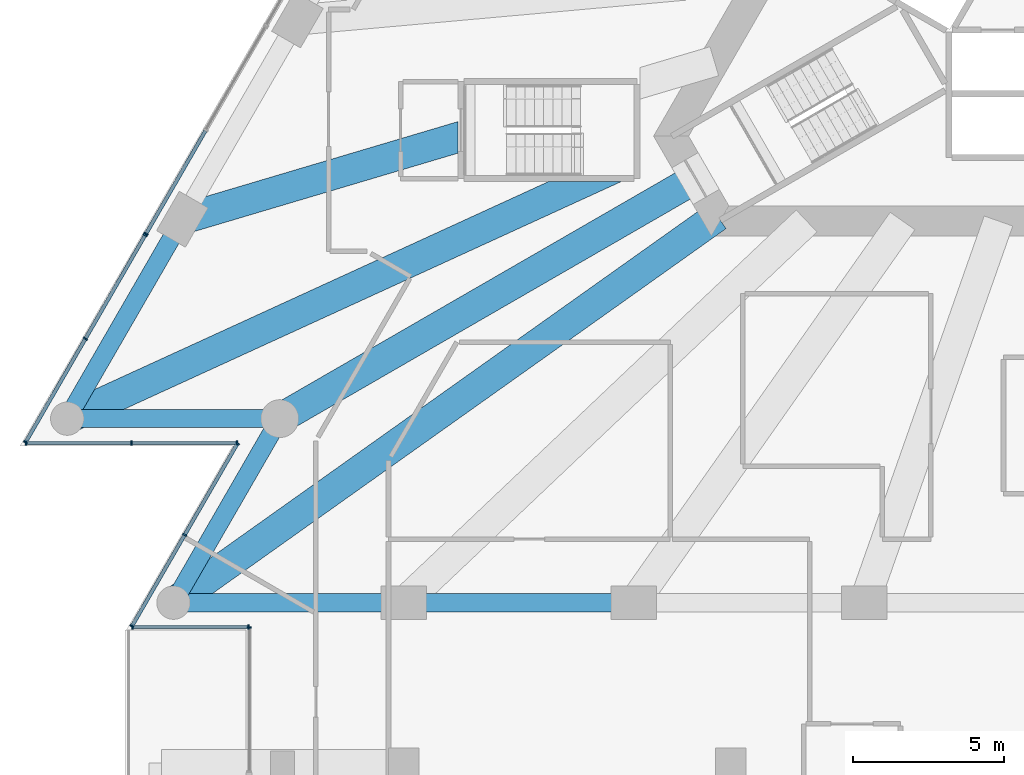
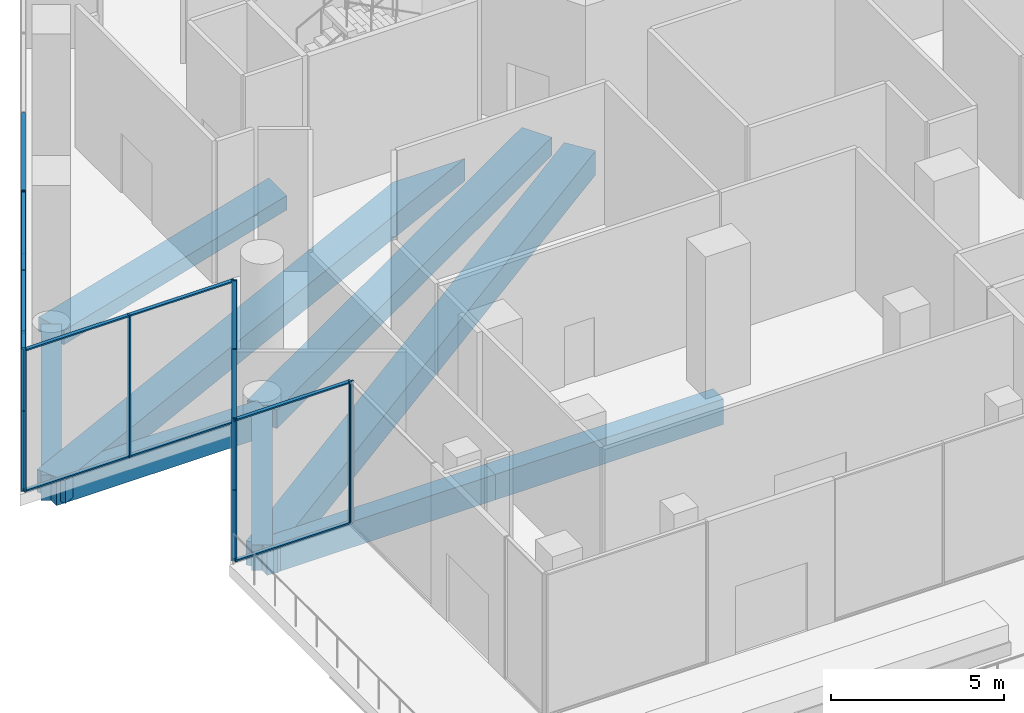
# One storey, part 4 of 29: 29 members, 9 beams, 6 elements without a shape of their own.
"""IFC4 building model written with IfcOpenShell, lengths in metres."""

from ifc_helpers import new_model, si_unit, direction, frame, origin, origin_2d, place, context, subcontext, project, spatial, rectangle, extrude, clip, halfspace, material, layer, layer_set, material_profile, profile_set, type_object, element, aggregate, save


model = new_model("IFC4")

# Units and contexts
model_context = context("Model", 3, precision=1e-05, world=origin(), true_north=direction((0.0, 1.0)))
body_context = subcontext(model_context, "Body", "Model", "MODEL_VIEW")
ifc_project = project(units=[si_unit("LENGTHUNIT", "METRE"), si_unit("AREAUNIT", "SQUARE_METRE"), si_unit("VOLUMEUNIT", "CUBIC_METRE"), si_unit("PLANEANGLEUNIT", "RADIAN"), si_unit("MASSUNIT", "GRAM", prefix="KILO")], contexts=[model_context])

# Site, building, storey
site_placement = place(None, origin())
site = spatial("IfcSite", under=ifc_project, at=site_placement, CompositionType="ELEMENT")
building_placement = place(site_placement, origin())
building = spatial("IfcBuilding", under=site, at=building_placement, Name="Triada Interchange Tower", CompositionType="ELEMENT")
storey_placement = place(building_placement, frame((0.0, 0.0, 19.89990234375)))
storey = spatial("IfcBuildingStorey", under=building, at=storey_placement, Name="L03", CompositionType="ELEMENT", Elevation=19.89990234375)

# Curtain wall, member
ifc_material_1 = material(Name="Aluminium framed glazing", Category="aluminium")
ifc_layer = layer(ifc_material_1, 0.199951171875)
ifc_layer_set = layer_set([ifc_layer], Name="Curtain wall Retail shopfront")
curtain_wall_type = type_object("IfcCurtainWallType", Name="Curtain wall Retail shopfront", PredefinedType="NOTDEFINED", material=ifc_layer_set)
curtain_wall_1_placement = place(storey_placement, origin())
curtain_wall_1 = element("IfcCurtainWall", 1, at=curtain_wall_1_placement, inside=storey, type_object=curtain_wall_type, Name="Retail shopfront CW029 L03", PredefinedType="NOTDEFINED")
ifc_material_2 = material(Name="Aluminium", Category="aluminium")
ifc_material_profile_1 = material_profile(ifc_material_2, rectangle(XDim=0.14990234375, YDim=0.050048828125, at=origin_2d()), Name="Aluminium mullion")
ifc_profile_set_1 = profile_set([ifc_material_profile_1], Name="Aluminium")
member_type_1 = type_object("IfcMemberType", Name="Mullion Retail shopfront 150x50", PredefinedType="MULLION", material=ifc_profile_set_1)
member_1_placement = place(storey_placement, frame((-31.302490234375, -9.417236328125, 0.0), z_axis=(0.0, 0.0, 1.0), x_axis=(0.866055473648, -0.499947913852, 0.0)))
member_1 = element("IfcMember", 2, at=member_1_placement, type_object=member_type_1, Name="CW029 mullion 3", PredefinedType="MULLION", context=body_context, shape_type="SweptSolid", body=[
    extrude(rectangle(XDim=0.14990234375, YDim=0.050048828125, at=origin_2d()), origin(), (0.0, 0.0, 1.0), 5.0),
])

# Curtain wall, members
curtain_wall_2_placement = place(storey_placement, origin())
curtain_wall_2 = element("IfcCurtainWall", 3, at=curtain_wall_2_placement, inside=storey, type_object=curtain_wall_type, Name="Retail shopfront CW030 L03", PredefinedType="NOTDEFINED")
member_2_placement = place(storey_placement, frame((-31.33349609375, -9.4697265625, 0.0), z_axis=(0.0, 0.0, 1.0), x_axis=(0.86604927658, -0.499958648825, 0.0)))
member_2 = element("IfcMember", 4, at=member_2_placement, type_object=member_type_1, Name="CW030 mullion 1", PredefinedType="MULLION", context=body_context, shape_type="SweptSolid", body=[
    extrude(rectangle(XDim=0.14990234375, YDim=0.050048828125, at=origin_2d()), origin(), (0.0, 0.0, 1.0), 5.0),
])
member_3_placement = place(storey_placement, frame((-33.305908203125, -12.886474609375, 0.0), z_axis=(0.0, 0.0, 1.0), x_axis=(0.86604927658, -0.499958648825, 0.0)))
member_3 = element("IfcMember", 5, at=member_3_placement, type_object=member_type_1, Name="CW030 mullion 2", PredefinedType="MULLION", context=body_context, shape_type="SweptSolid", body=[
    extrude(rectangle(XDim=0.14990234375, YDim=0.050048828125, at=origin_2d()), origin(), (0.0, 0.0, 1.0), 5.0),
])
member_4_placement = place(storey_placement, frame((-35.278564453125, -16.303466796875, 0.0), z_axis=(0.0, 0.0, 1.0), x_axis=(0.86604927658, -0.499958648825, 0.0)))
member_4 = element("IfcMember", 6, at=member_4_placement, type_object=member_type_1, Name="CW030 mullion 3", PredefinedType="MULLION", context=body_context, shape_type="SweptSolid", body=[
    extrude(rectangle(XDim=0.14990234375, YDim=0.050048828125, at=origin_2d()), origin(), (0.0, 0.0, 1.0), 5.0),
])

curtain_wall_3_placement = place(storey_placement, origin())
curtain_wall_3 = element("IfcCurtainWall", 7, at=curtain_wall_3_placement, inside=storey, type_object=curtain_wall_type, Name="Retail shopfront CW031 L03", PredefinedType="NOTDEFINED")
member_5_placement = place(storey_placement, frame((-35.26611328125, -16.324951171875, 0.0), z_axis=(0.0, 0.0, 1.0), x_axis=(0.0, 1.0, 0.0)))
member_5 = element("IfcMember", 8, at=member_5_placement, type_object=member_type_1, Name="CW031 mullion 1", PredefinedType="MULLION", context=body_context, shape_type="SweptSolid", body=[
    extrude(rectangle(XDim=0.14990234375, YDim=0.050048828125, at=origin_2d()), origin(), (0.0, 0.0, 1.0), 5.0),
])
member_6_placement = place(storey_placement, frame((-31.783447265625, -16.324951171875, 0.0), z_axis=(0.0, 0.0, 1.0), x_axis=(0.0, 1.0, 0.0)))
member_6 = element("IfcMember", 9, at=member_6_placement, type_object=member_type_1, Name="CW031 mullion 2", PredefinedType="MULLION", context=body_context, shape_type="SweptSolid", body=[
    extrude(rectangle(XDim=0.14990234375, YDim=0.050048828125, at=origin_2d()), origin(), (0.0, 0.0, 1.0), 5.0),
])
member_7_placement = place(storey_placement, frame((-28.301025390625, -16.324951171875, 0.0), z_axis=(0.0, 0.0, 1.0), x_axis=(0.0, 1.0, 0.0)))
member_7 = element("IfcMember", 10, at=member_7_placement, type_object=member_type_1, Name="CW031 mullion 3", PredefinedType="MULLION", context=body_context, shape_type="SweptSolid", body=[
    extrude(rectangle(XDim=0.14990234375, YDim=0.050048828125, at=origin_2d()), origin(), (0.0, 0.0, 1.0), 5.0),
])

curtain_wall_4_placement = place(storey_placement, origin())
curtain_wall_4 = element("IfcCurtainWall", 11, at=curtain_wall_4_placement, inside=storey, type_object=curtain_wall_type, Name="Retail shopfront CW032 L03", PredefinedType="NOTDEFINED")
member_8_placement = place(storey_placement, frame((-28.28857421875, -16.3466796875, 0.0), z_axis=(0.0, 0.0, 1.0), x_axis=(0.866050272896, -0.499956922962, 0.0)))
member_8 = element("IfcMember", 12, at=member_8_placement, type_object=member_type_1, Name="CW032 mullion 1", PredefinedType="MULLION", context=body_context, shape_type="SweptSolid", body=[
    extrude(rectangle(XDim=0.14990234375, YDim=0.050048828125, at=origin_2d()), origin(), (0.0, 0.0, 1.0), 5.0),
])
member_9_placement = place(storey_placement, frame((-30.029541015625, -19.362548828125, 0.0), z_axis=(0.0, 0.0, 1.0), x_axis=(0.866050272896, -0.499956922962, 0.0)))
member_9 = element("IfcMember", 13, at=member_9_placement, type_object=member_type_1, Name="CW032 mullion 2", PredefinedType="MULLION", context=body_context, shape_type="SweptSolid", body=[
    extrude(rectangle(XDim=0.14990234375, YDim=0.050048828125, at=origin_2d()), origin(), (0.0, 0.0, 1.0), 5.0),
])
member_10_placement = place(storey_placement, frame((-31.7705078125, -22.37841796875, 0.0), z_axis=(0.0, 0.0, 1.0), x_axis=(0.866050272896, -0.499956922962, 0.0)))
member_10 = element("IfcMember", 14, at=member_10_placement, type_object=member_type_1, Name="CW032 mullion 3", PredefinedType="MULLION", context=body_context, shape_type="SweptSolid", body=[
    extrude(rectangle(XDim=0.14990234375, YDim=0.050048828125, at=origin_2d()), origin(), (0.0, 0.0, 1.0), 5.0),
])

curtain_wall_5_placement = place(storey_placement, origin())
curtain_wall_5 = element("IfcCurtainWall", 15, at=curtain_wall_5_placement, inside=storey, type_object=curtain_wall_type, Name="Retail shopfront CW033 L03", PredefinedType="NOTDEFINED")
member_11_placement = place(storey_placement, frame((-31.758056640625, -22.39990234375, 0.0), z_axis=(0.0, 0.0, 1.0), x_axis=(0.0, 1.0, 0.0)))
member_11 = element("IfcMember", 16, at=member_11_placement, type_object=member_type_1, Name="CW033 mullion 1", PredefinedType="MULLION", context=body_context, shape_type="SweptSolid", body=[
    extrude(rectangle(XDim=0.14990234375, YDim=0.050048828125, at=origin_2d()), origin(), (0.0, 0.0, 1.0), 5.0),
])
member_12_placement = place(storey_placement, frame((-27.925048828125, -22.39990234375, 0.0), z_axis=(0.0, 0.0, 1.0), x_axis=(0.0, 1.0, 0.0)))
member_12 = element("IfcMember", 17, at=member_12_placement, type_object=member_type_1, Name="CW033 mullion 2", PredefinedType="MULLION", context=body_context, shape_type="SweptSolid", body=[
    extrude(rectangle(XDim=0.14990234375, YDim=0.050048828125, at=origin_2d()), origin(), (0.0, 0.0, 1.0), 5.0),
])

# Curtain wall, member
curtain_wall_6_placement = place(storey_placement, origin())
curtain_wall_6 = element("IfcCurtainWall", 18, at=curtain_wall_6_placement, inside=storey, type_object=curtain_wall_type, Name="Retail shopfront CW034 L03", PredefinedType="NOTDEFINED")
member_13_placement = place(storey_placement, frame((-27.89990234375, -22.425048828125, 0.0), z_axis=(0.0, 0.0, 1.0), x_axis=(1.0, 0.0, 0.0)))
member_13 = element("IfcMember", 19, at=member_13_placement, type_object=member_type_1, Name="CW034 mullion 1", PredefinedType="MULLION", context=body_context, shape_type="SweptSolid", body=[
    extrude(rectangle(XDim=0.14990234375, YDim=0.050048828125, at=origin_2d()), origin(), (0.0, 0.0, 1.0), 5.0),
])
aggregate(curtain_wall_6, [member_13])

# Beams
ifc_material_3 = material(Name="Concrete C50/60", Category="concrete")
ifc_material_profile_2 = material_profile(ifc_material_3, rectangle(XDim=1.0, YDim=0.5, at=origin_2d()), Name="RC 1000x500")
ifc_profile_set_2 = profile_set([ifc_material_profile_2], Name="Concrete C50/60")
beam_type_1 = type_object("IfcBeamType", Name="Radial band beam P RC 1000x500", PredefinedType="BEAM", material=ifc_profile_set_2)
beam_1_placement = place(storey_placement, frame((-30.10498046875, -8.944091796875, -0.64990234375), z_axis=(0.958593857604, 0.284776783049, 0.0), x_axis=(-0.284776783049, 0.958593857604, 0.0)))
element("IfcBeam", 20, at=beam_1_placement, inside=storey, type_object=beam_type_1, Name="Radial band beam BP08A L03", PredefinedType="BEAM", context=body_context, shape_type="Clipping", body=[
    clip(extrude(rectangle(XDim=1.0, YDim=0.5, at=origin_2d()), origin(), (0.0, 0.0, 1.0), 10.998291015625), halfspace(frame((-1.400146484375, -19.25, 9.082275390625), z_axis=(-0.284776783049, 0.0, 0.958593857604), x_axis=(0.0, 1.0, 0.0)), False)),
])
ifc_material_profile_3 = material_profile(ifc_material_3, rectangle(XDim=1.0, YDim=0.64990234375, at=origin_2d()), Name="RC 1000x650")
ifc_profile_set_3 = profile_set([ifc_material_profile_3], Name="Concrete C50/60")
beam_type_2 = type_object("IfcBeamType", Name="Radial band beam P RC 1000x650", PredefinedType="BEAM", material=ifc_profile_set_3)
beam_2_placement = place(storey_placement, frame((-26.889892578125, -15.52490234375, -0.724853515625), z_axis=(0.866020130944, 0.500009132716, 0.0), x_axis=(-0.500009132716, 0.866020130944, 0.0)))
element("IfcBeam", 21, at=beam_2_placement, inside=storey, type_object=beam_type_2, Name="Radial band beam BP10 L03", PredefinedType="BEAM", context=body_context, shape_type="SweptSolid", body=[
    extrude(rectangle(XDim=1.0, YDim=0.64990234375, at=origin_2d()), origin(), (0.0, 0.0, 1.0), 15.849365234375),
])
ifc_material_profile_4 = material_profile(ifc_material_3, rectangle(XDim=1.0, YDim=0.800048828125, at=origin_2d()), Name="RC 1000x800")
ifc_profile_set_4 = profile_set([ifc_material_profile_4], Name="Concrete C50/60")
beam_type_3 = type_object("IfcBeamType", Name="Radial band beam P RC 1000x800", PredefinedType="BEAM", material=ifc_profile_set_4)
beam_3_placement = place(storey_placement, frame((-33.905029296875, -15.52490234375, -0.7998046875), z_axis=(0.909200707798, 0.41635810661, 0.0), x_axis=(-0.41635810661, 0.909200707798, 0.0)))
element("IfcBeam", 22, at=beam_3_placement, inside=storey, type_object=beam_type_3, Name="Radial band beam BP09A L03", PredefinedType="BEAM", context=body_context, shape_type="Clipping", body=[
    clip(extrude(rectangle(XDim=1.0, YDim=0.800048828125, at=origin_2d()), origin(), (0.0, 0.0, 1.0), 20.294921875), halfspace(frame((-0.7568359375, -19.10009765625, 20.446533203125), z_axis=(0.909200707798, 0.0, 0.41635810661), x_axis=(0.0, -1.0, 0.0)), False)),
])
ifc_material_profile_5 = material_profile(ifc_material_3, rectangle(XDim=1.0, YDim=0.85009765625, at=origin_2d()), Name="RC 1000x850")
ifc_profile_set_5 = profile_set([ifc_material_profile_5], Name="Concrete C50/60")
beam_type_4 = type_object("IfcBeamType", Name="Radial band beam P RC 1000x850", PredefinedType="BEAM", material=ifc_profile_set_5)
beam_4_placement = place(storey_placement, frame((-30.39697265625, -21.60009765625, -0.824951171875), z_axis=(0.815163189691, 0.579231364977, 0.0), x_axis=(-0.579231364977, 0.815163189691, 0.0)))
element("IfcBeam", 23, at=beam_4_placement, inside=storey, type_object=beam_type_4, Name="Radial band beam BP11 L03", PredefinedType="BEAM", context=body_context, shape_type="SweptSolid", body=[
    extrude(rectangle(XDim=1.0, YDim=0.85009765625, at=origin_2d()), origin(), (0.0, 0.0, 1.0), 22.0224609375),
])
ifc_material_profile_6 = material_profile(ifc_material_3, rectangle(XDim=0.60009765625, YDim=0.89990234375, at=origin_2d()), Name="RC 600x900")
ifc_profile_set_6 = profile_set([ifc_material_profile_6], Name="Concrete C50/60")
beam_type_5 = type_object("IfcBeamType", Name="Spandrel beam P RC 600x900", PredefinedType="BEAM", material=ifc_profile_set_6)
beam_5_placement = place(storey_placement, frame((-30.10498046875, -8.944091796875, -0.849853515625), z_axis=(-0.500060803479, -0.865990296034, 0.0), x_axis=(0.865990296034, -0.500060803479, 0.0)))
element("IfcBeam", 24, at=beam_5_placement, inside=storey, type_object=beam_type_5, Name="Spandrel beam EP08 L03", PredefinedType="BEAM", context=body_context, shape_type="SweptSolid", body=[
    extrude(rectangle(XDim=0.60009765625, YDim=0.89990234375, at=origin_2d()), origin(), (0.0, 0.0, 1.0), 7.59912109375),
])
beam_6_placement = place(storey_placement, frame((-33.905029296875, -15.52490234375, -0.849853515625), z_axis=(1.0, 0.0, 0.0), x_axis=(0.0, 1.0, 0.0)))
element("IfcBeam", 25, at=beam_6_placement, inside=storey, type_object=beam_type_5, Name="Spandrel beam EP09 L03", PredefinedType="BEAM", context=body_context, shape_type="SweptSolid", body=[
    extrude(rectangle(XDim=0.60009765625, YDim=0.89990234375, at=origin_2d()), origin(), (0.0, 0.0, 1.0), 7.01513671875),
])
beam_7_placement = place(storey_placement, frame((-26.889892578125, -15.52490234375, -0.849853515625), z_axis=(-0.499953429515, -0.866052289597, 0.0), x_axis=(0.866052289597, -0.499953429515, 0.0)))
element("IfcBeam", 26, at=beam_7_placement, inside=storey, type_object=beam_type_5, Name="Spandrel beam EP10 L03", PredefinedType="BEAM", context=body_context, shape_type="SweptSolid", body=[
    extrude(rectangle(XDim=0.60009765625, YDim=0.89990234375, at=origin_2d()), origin(), (0.0, 0.0, 1.0), 7.014892578125),
])
beam_8_placement = place(storey_placement, frame((-30.39697265625, -21.60009765625, -0.849853515625), z_axis=(1.0, 0.0, 0.0), x_axis=(0.0, 1.0, 0.0)))
element("IfcBeam", 27, at=beam_8_placement, inside=storey, type_object=beam_type_5, Name="Spandrel beam EP11 L03", PredefinedType="BEAM", context=body_context, shape_type="SweptSolid", body=[
    extrude(rectangle(XDim=0.60009765625, YDim=0.89990234375, at=origin_2d()), origin(), (0.0, 0.0, 1.0), 7.598876953125),
])
beam_9_placement = place(storey_placement, frame((-22.798095703125, -21.60009765625, -0.849853515625), z_axis=(1.0, 0.0, 0.0), x_axis=(0.0, 1.0, 0.0)))
element("IfcBeam", 28, at=beam_9_placement, inside=storey, type_object=beam_type_5, Name="Spandrel beam EP12 L03", PredefinedType="BEAM", context=body_context, shape_type="SweptSolid", body=[
    extrude(rectangle(XDim=0.60009765625, YDim=0.89990234375, at=origin_2d()), origin(), (0.0, 0.0, 1.0), 7.60009765625),
])

# Member
ifc_material_profile_7 = material_profile(ifc_material_2, rectangle(XDim=0.1201171875, YDim=0.050048828125, at=origin_2d()), Name="Aluminium transom")
ifc_profile_set_7 = profile_set([ifc_material_profile_7], Name="Aluminium")
member_type_2 = type_object("IfcMemberType", Name="Transom Retail shopfront 120x50", PredefinedType="USERDEFINED", material=ifc_profile_set_7)
member_14_placement = place(storey_placement, frame((-29.343994140625, -6.024658203125, 0.025146484375), z_axis=(-0.499950487857, -0.866053987747, 0.0), x_axis=(0.866053987747, -0.499950487857, 0.0)))
member_14 = element("IfcMember", 29, at=member_14_placement, type_object=member_type_2, Name="CW029 transom 2.1", ObjectType="TRANSOM", PredefinedType="USERDEFINED", context=body_context, shape_type="SweptSolid", body=[
    extrude(rectangle(XDim=0.1201171875, YDim=0.050048828125, at=origin_2d()), origin(), (0.0, 0.0, 1.0), 3.892578125),
])

member_15_placement = place(storey_placement, frame((-29.343994140625, -6.024658203125, 4.97509765625), z_axis=(-0.499950487857, -0.866053987747, 0.0), x_axis=(0.866053987747, -0.499950487857, 0.0)))
member_15 = element("IfcMember", 30, at=member_15_placement, type_object=member_type_2, Name="CW029 transom 2.2", ObjectType="TRANSOM", PredefinedType="USERDEFINED", context=body_context, shape_type="SweptSolid", body=[
    extrude(rectangle(XDim=0.1201171875, YDim=0.050048828125, at=origin_2d()), origin(), (0.0, 0.0, 1.0), 3.892578125),
])

aggregate(curtain_wall_1, [member_1, member_14, member_15])

member_16_placement = place(storey_placement, frame((-31.345947265625, -9.4912109375, 0.025146484375), z_axis=(-0.499961171201, -0.866047820441, 0.0), x_axis=(0.866047820441, -0.499961171201, 0.0)))
member_16 = element("IfcMember", 31, at=member_16_placement, type_object=member_type_2, Name="CW030 transom 1.1", ObjectType="TRANSOM", PredefinedType="USERDEFINED", context=body_context, shape_type="SweptSolid", body=[
    extrude(rectangle(XDim=0.1201171875, YDim=0.050048828125, at=origin_2d()), origin(), (0.0, 0.0, 1.0), 3.895263671875),
])

member_17_placement = place(storey_placement, frame((-31.345947265625, -9.4912109375, 4.97509765625), z_axis=(-0.499961171201, -0.866047820441, 0.0), x_axis=(0.866047820441, -0.499961171201, 0.0)))
member_17 = element("IfcMember", 32, at=member_17_placement, type_object=member_type_2, Name="CW030 transom 1.2", ObjectType="TRANSOM", PredefinedType="USERDEFINED", context=body_context, shape_type="SweptSolid", body=[
    extrude(rectangle(XDim=0.1201171875, YDim=0.050048828125, at=origin_2d()), origin(), (0.0, 0.0, 1.0), 3.895263671875),
])

member_18_placement = place(storey_placement, frame((-33.318603515625, -12.908203125, 0.025146484375), z_axis=(-0.499961171201, -0.866047820441, 0.0), x_axis=(0.866047820441, -0.499961171201, 0.0)))
member_18 = element("IfcMember", 33, at=member_18_placement, type_object=member_type_2, Name="CW030 transom 2.1", ObjectType="TRANSOM", PredefinedType="USERDEFINED", context=body_context, shape_type="SweptSolid", body=[
    extrude(rectangle(XDim=0.1201171875, YDim=0.050048828125, at=origin_2d()), origin(), (0.0, 0.0, 1.0), 3.895263671875),
])

member_19_placement = place(storey_placement, frame((-33.318603515625, -12.908203125, 4.97509765625), z_axis=(-0.499961171201, -0.866047820441, 0.0), x_axis=(0.866047820441, -0.499961171201, 0.0)))
member_19 = element("IfcMember", 34, at=member_19_placement, type_object=member_type_2, Name="CW030 transom 2.2", ObjectType="TRANSOM", PredefinedType="USERDEFINED", context=body_context, shape_type="SweptSolid", body=[
    extrude(rectangle(XDim=0.1201171875, YDim=0.050048828125, at=origin_2d()), origin(), (0.0, 0.0, 1.0), 3.895263671875),
])

aggregate(curtain_wall_2, [member_2, member_3, member_4, member_16, member_17, member_18, member_19])

member_20_placement = place(storey_placement, frame((-35.240966796875, -16.324951171875, 0.025146484375), z_axis=(1.0, 0.0, 0.0), x_axis=(0.0, 1.0, 0.0)))
member_20 = element("IfcMember", 35, at=member_20_placement, type_object=member_type_2, Name="CW031 transom 1.1", ObjectType="TRANSOM", PredefinedType="USERDEFINED", context=body_context, shape_type="SweptSolid", body=[
    extrude(rectangle(XDim=0.1201171875, YDim=0.050048828125, at=origin_2d()), origin(), (0.0, 0.0, 1.0), 3.432373046875),
])

member_21_placement = place(storey_placement, frame((-35.240966796875, -16.324951171875, 4.97509765625), z_axis=(1.0, 0.0, 0.0), x_axis=(0.0, 1.0, 0.0)))
member_21 = element("IfcMember", 36, at=member_21_placement, type_object=member_type_2, Name="CW031 transom 1.2", ObjectType="TRANSOM", PredefinedType="USERDEFINED", context=body_context, shape_type="SweptSolid", body=[
    extrude(rectangle(XDim=0.1201171875, YDim=0.050048828125, at=origin_2d()), origin(), (0.0, 0.0, 1.0), 3.432373046875),
])

member_22_placement = place(storey_placement, frame((-31.758544921875, -16.324951171875, 0.025146484375), z_axis=(1.0, 0.0, 0.0), x_axis=(0.0, 1.0, 0.0)))
member_22 = element("IfcMember", 37, at=member_22_placement, type_object=member_type_2, Name="CW031 transom 2.1", ObjectType="TRANSOM", PredefinedType="USERDEFINED", context=body_context, shape_type="SweptSolid", body=[
    extrude(rectangle(XDim=0.1201171875, YDim=0.050048828125, at=origin_2d()), origin(), (0.0, 0.0, 1.0), 3.4326171875),
])

member_23_placement = place(storey_placement, frame((-31.758544921875, -16.324951171875, 4.97509765625), z_axis=(1.0, 0.0, 0.0), x_axis=(0.0, 1.0, 0.0)))
member_23 = element("IfcMember", 38, at=member_23_placement, type_object=member_type_2, Name="CW031 transom 2.2", ObjectType="TRANSOM", PredefinedType="USERDEFINED", context=body_context, shape_type="SweptSolid", body=[
    extrude(rectangle(XDim=0.1201171875, YDim=0.050048828125, at=origin_2d()), origin(), (0.0, 0.0, 1.0), 3.4326171875),
])

aggregate(curtain_wall_3, [member_5, member_6, member_7, member_20, member_21, member_22, member_23])

member_24_placement = place(storey_placement, frame((-28.301025390625, -16.368408203125, 0.025146484375), z_axis=(-0.499987221389, -0.866032781393, 0.0), x_axis=(0.866032781393, -0.499987221389, 0.0)))
member_24 = element("IfcMember", 39, at=member_24_placement, type_object=member_type_2, Name="CW032 transom 1.1", ObjectType="TRANSOM", PredefinedType="USERDEFINED", context=body_context, shape_type="SweptSolid", body=[
    extrude(rectangle(XDim=0.1201171875, YDim=0.050048828125, at=origin_2d()), origin(), (0.0, 0.0, 1.0), 3.43212890625),
])

member_25_placement = place(storey_placement, frame((-28.301025390625, -16.368408203125, 4.97509765625), z_axis=(-0.499987221389, -0.866032781393, 0.0), x_axis=(0.866032781393, -0.499987221389, 0.0)))
member_25 = element("IfcMember", 40, at=member_25_placement, type_object=member_type_2, Name="CW032 transom 1.2", ObjectType="TRANSOM", PredefinedType="USERDEFINED", context=body_context, shape_type="SweptSolid", body=[
    extrude(rectangle(XDim=0.1201171875, YDim=0.050048828125, at=origin_2d()), origin(), (0.0, 0.0, 1.0), 3.43212890625),
])

member_26_placement = place(storey_placement, frame((-30.0419921875, -19.384033203125, 0.025146484375), z_axis=(-0.499956422411, -0.866050561855, 0.0), x_axis=(0.866050561855, -0.499956422411, 0.0)))
member_26 = element("IfcMember", 41, at=member_26_placement, type_object=member_type_2, Name="CW032 transom 2.1", ObjectType="TRANSOM", PredefinedType="USERDEFINED", context=body_context, shape_type="SweptSolid", body=[
    extrude(rectangle(XDim=0.1201171875, YDim=0.050048828125, at=origin_2d()), origin(), (0.0, 0.0, 1.0), 3.432373046875),
])

member_27_placement = place(storey_placement, frame((-30.0419921875, -19.384033203125, 4.97509765625), z_axis=(-0.499956422411, -0.866050561855, 0.0), x_axis=(0.866050561855, -0.499956422411, 0.0)))
member_27 = element("IfcMember", 42, at=member_27_placement, type_object=member_type_2, Name="CW032 transom 2.2", ObjectType="TRANSOM", PredefinedType="USERDEFINED", context=body_context, shape_type="SweptSolid", body=[
    extrude(rectangle(XDim=0.1201171875, YDim=0.050048828125, at=origin_2d()), origin(), (0.0, 0.0, 1.0), 3.432373046875),
])

aggregate(curtain_wall_4, [member_8, member_9, member_10, member_24, member_25, member_26, member_27])

member_28_placement = place(storey_placement, frame((-31.73291015625, -22.39990234375, 0.025146484375), z_axis=(1.0, 0.0, 0.0), x_axis=(0.0, 1.0, 0.0)))
member_28 = element("IfcMember", 43, at=member_28_placement, type_object=member_type_2, Name="CW033 transom 1.1", ObjectType="TRANSOM", PredefinedType="USERDEFINED", context=body_context, shape_type="SweptSolid", body=[
    extrude(rectangle(XDim=0.1201171875, YDim=0.050048828125, at=origin_2d()), origin(), (0.0, 0.0, 1.0), 3.782958984375),
])

member_29_placement = place(storey_placement, frame((-31.73291015625, -22.39990234375, 4.97509765625), z_axis=(1.0, 0.0, 0.0), x_axis=(0.0, 1.0, 0.0)))
member_29 = element("IfcMember", 44, at=member_29_placement, type_object=member_type_2, Name="CW033 transom 1.2", ObjectType="TRANSOM", PredefinedType="USERDEFINED", context=body_context, shape_type="SweptSolid", body=[
    extrude(rectangle(XDim=0.1201171875, YDim=0.050048828125, at=origin_2d()), origin(), (0.0, 0.0, 1.0), 3.782958984375),
])

aggregate(curtain_wall_5, [member_11, member_12, member_28, member_29])

save(model, "model.ifc")
